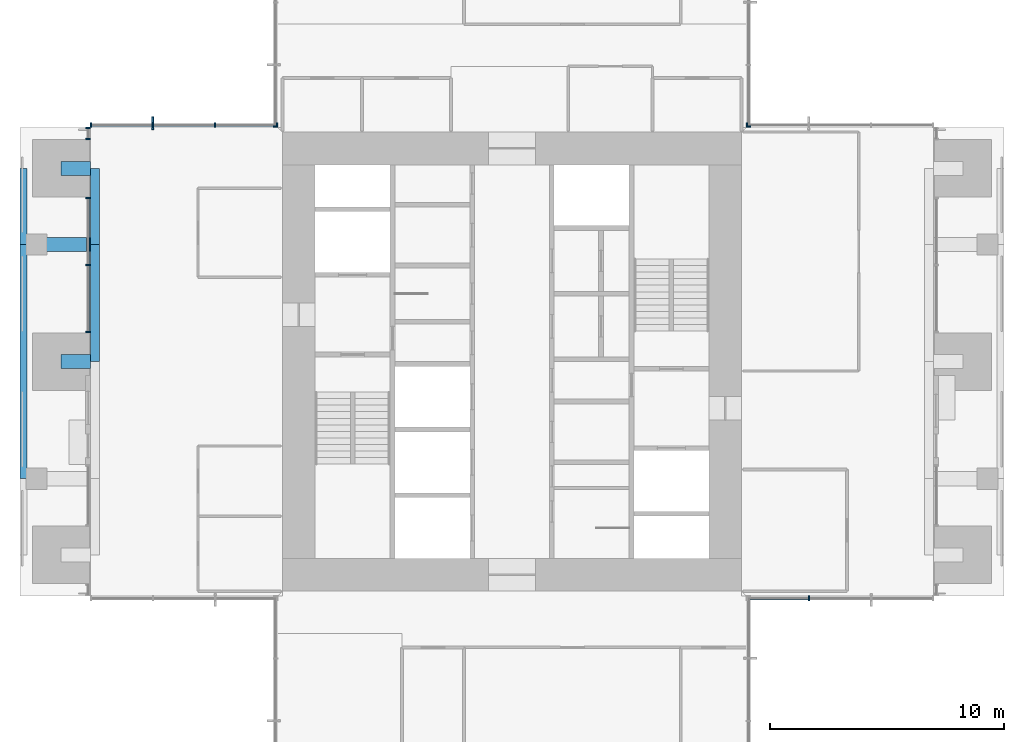
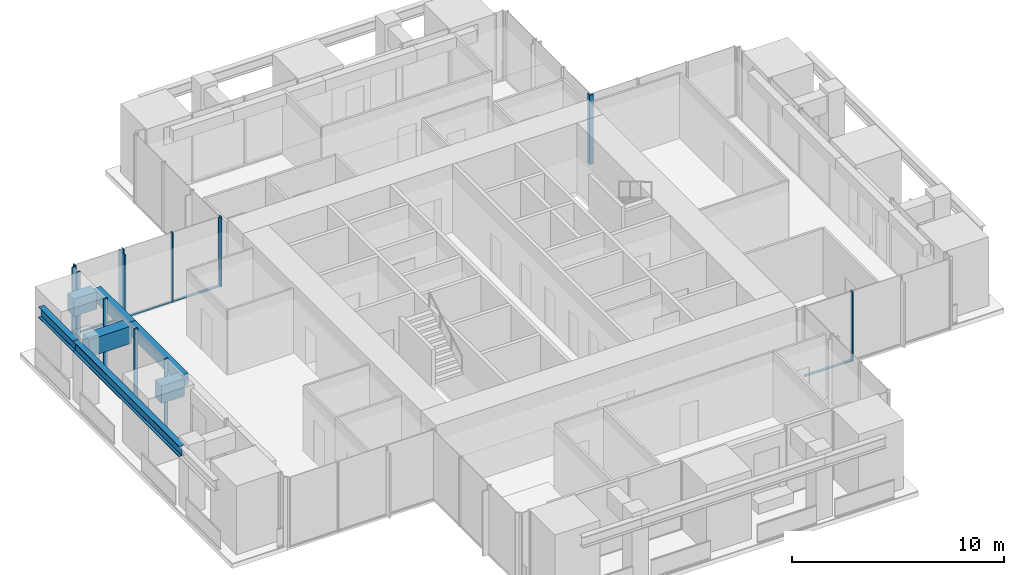
# One storey, part 3 of 17: 20 members, 7 beams, 7 elements without a shape of their own.
"""IFC4 building model written with IfcOpenShell, lengths in metres."""

from ifc_helpers import new_model, si_unit, direction, frame, origin, origin_2d, place, context, subcontext, project, spatial, rectangle, i_section, extrude, material, material_profile, profile_set, type_object, element, aggregate, save


model = new_model("IFC4")

# Units and contexts
model_context = context("Model", 3, precision=1e-05, world=origin(), true_north=direction((0.0, 1.0)))
body_context = subcontext(model_context, "Body", "Model", "MODEL_VIEW")
ifc_project = project(units=[si_unit("LENGTHUNIT", "METRE"), si_unit("AREAUNIT", "SQUARE_METRE"), si_unit("VOLUMEUNIT", "CUBIC_METRE"), si_unit("PLANEANGLEUNIT", "RADIAN"), si_unit("MASSUNIT", "GRAM", prefix="KILO")], contexts=[model_context])

# Site, building, storey
site_placement = place(None, origin())
site = spatial("IfcSite", under=ifc_project, at=site_placement, CompositionType="ELEMENT")
building_placement = place(site_placement, origin())
building = spatial("IfcBuilding", under=site, at=building_placement, Name="Svetlomir Tower", CompositionType="ELEMENT")
storey_placement = place(building_placement, frame((0.0, 0.0, 218.5)))
storey = spatial("IfcBuildingStorey", under=building, at=storey_placement, Name="L52", CompositionType="ELEMENT", Elevation=218.5)

# Curtain wall, member
ifc_material_1 = material(Name="Bronze anodised aluminium curtain wall", Category="aluminium")
curtain_wall_type = type_object("IfcCurtainWallType", Name="CURTAIN WALL CW1 TOWER OFFICE", PredefinedType="NOTDEFINED", material=ifc_material_1)
curtain_wall_1_placement = place(storey_placement, origin())
curtain_wall_1 = element("IfcCurtainWall", 1, at=curtain_wall_1_placement, inside=storey, type_object=curtain_wall_type, Name="Curtain wall CW1 L52", PredefinedType="NOTDEFINED")
ifc_material_2 = material(Name="Bronze anodised aluminium", Category="aluminium")
ifc_material_profile_1 = material_profile(ifc_material_2, rectangle(XDim=0.080078125, YDim=0.550048828125, at=origin_2d()), Name="FIN 80x550")
ifc_profile_set_1 = profile_set([ifc_material_profile_1], Name="Bronze anodised aluminium 6063-T6")
member_type_1 = type_object("IfcMemberType", Name="BRONZE FIN 80x550", PredefinedType="USERDEFINED", material=ifc_profile_set_1)
member_1_placement = place(storey_placement, frame((5.666748046875, 31.175048828125, 0.0), z_axis=(0.0, 0.0, 1.0), x_axis=(1.0, 0.0, 0.0)))
member_1 = element("IfcMember", 2, at=member_1_placement, type_object=member_type_1, Name="Bronze fin L52", ObjectType="FIN", PredefinedType="USERDEFINED", context=body_context, shape_type="SweptSolid", body=[
    extrude(rectangle(XDim=0.080078125, YDim=0.550048828125, at=origin_2d()), origin(), (0.0, 0.0, 1.0), 3.75),
])

curtain_wall_2_placement = place(storey_placement, origin())
curtain_wall_2 = element("IfcCurtainWall", 3, at=curtain_wall_2_placement, inside=storey, type_object=curtain_wall_type, Name="Curtain wall CW1 L52", PredefinedType="NOTDEFINED")
ifc_material_3 = material(Name="Bronze anodised aluminium", Category="aluminium")
ifc_material_profile_2 = material_profile(ifc_material_3, rectangle(XDim=0.06494140625, YDim=0.199951171875, at=origin_2d()), Name="AL 65x200")
ifc_profile_set_2 = profile_set([ifc_material_profile_2], Name="Bronze anodised aluminium 6063-T6")
member_type_2 = type_object("IfcMemberType", Name="CW1 MULLION 65x200", PredefinedType="MULLION", material=ifc_profile_set_2)
member_2_placement = place(storey_placement, frame((33.666748046875, 10.89990234375, 0.0), z_axis=(0.0, 0.0, 1.0), x_axis=(1.0, 0.0, 0.0)))
member_2 = element("IfcMember", 4, at=member_2_placement, type_object=member_type_2, Name="CW1 mullion 2", PredefinedType="MULLION", context=body_context, shape_type="SweptSolid", body=[
    extrude(rectangle(XDim=0.06494140625, YDim=0.199951171875, at=origin_2d()), origin(), (0.0, 0.0, 1.0), 4.0),
])

curtain_wall_3_placement = place(storey_placement, origin())
curtain_wall_3 = element("IfcCurtainWall", 5, at=curtain_wall_3_placement, inside=storey, type_object=curtain_wall_type, Name="Curtain wall CW1 L52", PredefinedType="NOTDEFINED")
member_3_placement = place(storey_placement, frame((31.032470703125, 31.10009765625, 0.0), z_axis=(0.0, 0.0, 1.0), x_axis=(-1.0, 0.0, 0.0)))
member_3 = element("IfcMember", 6, at=member_3_placement, type_object=member_type_2, Name="CW1 mullion 4", PredefinedType="MULLION", context=body_context, shape_type="SweptSolid", body=[
    extrude(rectangle(XDim=0.06494140625, YDim=0.199951171875, at=origin_2d()), origin(), (0.0, 0.0, 1.0), 4.0),
])
aggregate(curtain_wall_3, [member_3])

curtain_wall_4_placement = place(storey_placement, origin())
curtain_wall_4 = element("IfcCurtainWall", 7, at=curtain_wall_4_placement, inside=storey, type_object=curtain_wall_type, Name="Curtain wall CW1 L52", PredefinedType="NOTDEFINED")
member_4_placement = place(storey_placement, frame((31.10009765625, 31.032470703125, 0.0), z_axis=(0.0, 0.0, 1.0), x_axis=(0.0, 1.0, 0.0)))
member_4 = element("IfcMember", 8, at=member_4_placement, type_object=member_type_2, Name="CW1 mullion 1", PredefinedType="MULLION", context=body_context, shape_type="SweptSolid", body=[
    extrude(rectangle(XDim=0.06494140625, YDim=0.199951171875, at=origin_2d()), origin(), (0.0, 0.0, 1.0), 4.0),
])
aggregate(curtain_wall_4, [member_4])

curtain_wall_5_placement = place(storey_placement, origin())
curtain_wall_5 = element("IfcCurtainWall", 9, at=curtain_wall_5_placement, inside=storey, type_object=curtain_wall_type, Name="Curtain wall CW1 L52", PredefinedType="NOTDEFINED")
member_5_placement = place(storey_placement, frame((10.89990234375, 31.032470703125, 0.0), z_axis=(0.0, 0.0, 1.0), x_axis=(0.0, -1.0, 0.0)))
member_5 = element("IfcMember", 10, at=member_5_placement, type_object=member_type_2, Name="CW1 mullion 4", PredefinedType="MULLION", context=body_context, shape_type="SweptSolid", body=[
    extrude(rectangle(XDim=0.06494140625, YDim=0.199951171875, at=origin_2d()), origin(), (0.0, 0.0, 1.0), 4.0),
])
aggregate(curtain_wall_5, [member_5])

# Member
member_6_placement = place(storey_placement, frame((10.967529296875, 31.10009765625, 0.0), z_axis=(0.0, 0.0, 1.0), x_axis=(-1.0, 0.0, 0.0)))
member_6 = element("IfcMember", 11, at=member_6_placement, type_object=member_type_2, Name="CW1 mullion 1", PredefinedType="MULLION", context=body_context, shape_type="SweptSolid", body=[
    extrude(rectangle(XDim=0.06494140625, YDim=0.199951171875, at=origin_2d()), origin(), (0.0, 0.0, 1.0), 4.0),
])

member_7_placement = place(storey_placement, frame((8.333251953125, 31.10009765625, 0.0), z_axis=(0.0, 0.0, 1.0), x_axis=(-1.0, 0.0, 0.0)))
member_7 = element("IfcMember", 12, at=member_7_placement, type_object=member_type_2, Name="CW1 mullion 2", PredefinedType="MULLION", context=body_context, shape_type="SweptSolid", body=[
    extrude(rectangle(XDim=0.06494140625, YDim=0.199951171875, at=origin_2d()), origin(), (0.0, 0.0, 1.0), 4.0),
])

member_8_placement = place(storey_placement, frame((5.666748046875, 31.10009765625, 0.0), z_axis=(0.0, 0.0, 1.0), x_axis=(-1.0, 0.0, 0.0)))
member_8 = element("IfcMember", 13, at=member_8_placement, type_object=member_type_2, Name="CW1 mullion 3", PredefinedType="MULLION", context=body_context, shape_type="SweptSolid", body=[
    extrude(rectangle(XDim=0.06494140625, YDim=0.199951171875, at=origin_2d()), origin(), (0.0, 0.0, 1.0), 4.0),
])

member_9_placement = place(storey_placement, frame((3.032470703125, 31.10009765625, 0.0), z_axis=(0.0, 0.0, 1.0), x_axis=(-1.0, 0.0, 0.0)))
member_9 = element("IfcMember", 14, at=member_9_placement, type_object=member_type_2, Name="CW1 mullion 4", PredefinedType="MULLION", context=body_context, shape_type="SweptSolid", body=[
    extrude(rectangle(XDim=0.06494140625, YDim=0.199951171875, at=origin_2d()), origin(), (0.0, 0.0, 1.0), 4.0),
])

# Curtain wall, members
curtain_wall_6_placement = place(storey_placement, origin())
curtain_wall_6 = element("IfcCurtainWall", 15, at=curtain_wall_6_placement, inside=storey, type_object=curtain_wall_type, Name="Curtain wall CW1 L52", PredefinedType="NOTDEFINED")
member_10_placement = place(storey_placement, frame((2.89990234375, 30.967529296875, 0.0), z_axis=(0.0, 0.0, 1.0), x_axis=(0.0, -1.0, 0.0)))
member_10 = element("IfcMember", 16, at=member_10_placement, type_object=member_type_2, Name="CW1 mullion 1", PredefinedType="MULLION", context=body_context, shape_type="SweptSolid", body=[
    extrude(rectangle(XDim=0.06494140625, YDim=0.199951171875, at=origin_2d()), origin(), (0.0, 0.0, 1.0), 4.0),
])
member_11_placement = place(storey_placement, frame((2.89990234375, 30.507568359375, 0.0), z_axis=(0.0, 0.0, 1.0), x_axis=(0.0, -1.0, 0.0)))
member_11 = element("IfcMember", 17, at=member_11_placement, type_object=member_type_2, Name="CW1 mullion 2", PredefinedType="MULLION", context=body_context, shape_type="SweptSolid", body=[
    extrude(rectangle(XDim=0.06494140625, YDim=0.199951171875, at=origin_2d()), origin(), (0.0, 0.0, 1.0), 4.0),
])
aggregate(curtain_wall_6, [member_10, member_11])

curtain_wall_7_placement = place(storey_placement, origin())
curtain_wall_7 = element("IfcCurtainWall", 18, at=curtain_wall_7_placement, inside=storey, type_object=curtain_wall_type, Name="Curtain wall CW1 L52", PredefinedType="NOTDEFINED")
member_12_placement = place(storey_placement, frame((2.89990234375, 27.992431640625, 0.0), z_axis=(0.0, 0.0, 1.0), x_axis=(0.0, -1.0, 0.0)))
member_12 = element("IfcMember", 19, at=member_12_placement, type_object=member_type_2, Name="CW1 mullion 1", PredefinedType="MULLION", context=body_context, shape_type="SweptSolid", body=[
    extrude(rectangle(XDim=0.06494140625, YDim=0.199951171875, at=origin_2d()), origin(), (0.0, 0.0, 1.0), 4.0),
])
member_13_placement = place(storey_placement, frame((2.89990234375, 25.125, 0.0), z_axis=(0.0, 0.0, 1.0), x_axis=(0.0, -1.0, 0.0)))
member_13 = element("IfcMember", 20, at=member_13_placement, type_object=member_type_2, Name="CW1 mullion 2", PredefinedType="MULLION", context=body_context, shape_type="SweptSolid", body=[
    extrude(rectangle(XDim=0.06494140625, YDim=0.199951171875, at=origin_2d()), origin(), (0.0, 0.0, 1.0), 4.0),
])
member_14_placement = place(storey_placement, frame((2.89990234375, 22.257568359375, 0.0), z_axis=(0.0, 0.0, 1.0), x_axis=(0.0, -1.0, 0.0)))
member_14 = element("IfcMember", 21, at=member_14_placement, type_object=member_type_2, Name="CW1 mullion 3", PredefinedType="MULLION", context=body_context, shape_type="SweptSolid", body=[
    extrude(rectangle(XDim=0.06494140625, YDim=0.199951171875, at=origin_2d()), origin(), (0.0, 0.0, 1.0), 4.0),
])

# Member
ifc_material_4 = material(Name="Bronze anodised aluminium", Category="aluminium")
ifc_material_profile_3 = material_profile(ifc_material_4, rectangle(XDim=0.139892578125, YDim=0.06494140625, at=origin_2d()), Name="AL 140x65")
ifc_profile_set_3 = profile_set([ifc_material_profile_3], Name="Bronze anodised aluminium 6063-T6")
member_type_3 = type_object("IfcMemberType", Name="CW1 TRANSOM 65x140", PredefinedType="USERDEFINED", material=ifc_profile_set_3)
member_15_placement = place(storey_placement, frame((31.06494140625, 10.89990234375, 0.032470703125), z_axis=(1.0, 0.0, 0.0), x_axis=(0.0, 1.0, 0.0)))
member_15 = element("IfcMember", 22, at=member_15_placement, type_object=member_type_3, Name="CW1 transom 1.1", ObjectType="TRANSOM", PredefinedType="USERDEFINED", context=body_context, shape_type="SweptSolid", body=[
    extrude(rectangle(XDim=0.139892578125, YDim=0.06494140625, at=origin_2d()), origin(), (0.0, 0.0, 1.0), 2.5693359375),
])

aggregate(curtain_wall_2, [member_2, member_15])

member_16_placement = place(storey_placement, frame((10.93505859375, 31.10009765625, 0.032470703125), z_axis=(-1.0, 0.0, 0.0), x_axis=(0.0, -1.0, 0.0)))
member_16 = element("IfcMember", 23, at=member_16_placement, type_object=member_type_3, Name="CW1 transom 1.1", ObjectType="TRANSOM", PredefinedType="USERDEFINED", context=body_context, shape_type="SweptSolid", body=[
    extrude(rectangle(XDim=0.139892578125, YDim=0.06494140625, at=origin_2d()), origin(), (0.0, 0.0, 1.0), 2.5693359375),
])

member_17_placement = place(storey_placement, frame((8.30078125, 31.10009765625, 0.032470703125), z_axis=(-1.0, 0.0, 0.0), x_axis=(0.0, -1.0, 0.0)))
member_17 = element("IfcMember", 24, at=member_17_placement, type_object=member_type_3, Name="CW1 transom 2.1", ObjectType="TRANSOM", PredefinedType="USERDEFINED", context=body_context, shape_type="SweptSolid", body=[
    extrude(rectangle(XDim=0.139892578125, YDim=0.06494140625, at=origin_2d()), origin(), (0.0, 0.0, 1.0), 2.6015625),
])

member_18_placement = place(storey_placement, frame((5.63427734375, 31.10009765625, 0.032470703125), z_axis=(-1.0, 0.0, 0.0), x_axis=(0.0, -1.0, 0.0)))
member_18 = element("IfcMember", 25, at=member_18_placement, type_object=member_type_3, Name="CW1 transom 3.1", ObjectType="TRANSOM", PredefinedType="USERDEFINED", context=body_context, shape_type="SweptSolid", body=[
    extrude(rectangle(XDim=0.139892578125, YDim=0.06494140625, at=origin_2d()), origin(), (0.0, 0.0, 1.0), 2.5693359375),
])

aggregate(curtain_wall_1, [member_6, member_7, member_8, member_9, member_16, member_17, member_18, member_1])

member_19_placement = place(storey_placement, frame((2.89990234375, 27.9599609375, 0.032470703125), z_axis=(0.0, -1.0, 0.0), x_axis=(1.0, 0.0, 0.0)))
member_19 = element("IfcMember", 26, at=member_19_placement, type_object=member_type_3, Name="CW1 transom 1.1", ObjectType="TRANSOM", PredefinedType="USERDEFINED", context=body_context, shape_type="SweptSolid", body=[
    extrude(rectangle(XDim=0.139892578125, YDim=0.06494140625, at=origin_2d()), origin(), (0.0, 0.0, 1.0), 2.802490234375),
])

member_20_placement = place(storey_placement, frame((2.89990234375, 25.092529296875, 0.032470703125), z_axis=(0.0, -1.0, 0.0), x_axis=(1.0, 0.0, 0.0)))
member_20 = element("IfcMember", 27, at=member_20_placement, type_object=member_type_3, Name="CW1 transom 2.1", ObjectType="TRANSOM", PredefinedType="USERDEFINED", context=body_context, shape_type="SweptSolid", body=[
    extrude(rectangle(XDim=0.139892578125, YDim=0.06494140625, at=origin_2d()), origin(), (0.0, 0.0, 1.0), 2.802490234375),
])

aggregate(curtain_wall_7, [member_12, member_13, member_14, member_19, member_20])

# Beams
ifc_material_5 = material(Name="Steel S355", Category="steel")
ifc_material_profile_4 = material_profile(ifc_material_5, i_section(OverallWidth=0.304931640625, OverallDepth=0.6201171875, WebThickness=0.02099609375, FlangeThickness=0.0400390625, FilletRadius=0.027099609375, at=origin_2d()), Name="HEM 600")
ifc_profile_set_4 = profile_set([ifc_material_profile_4], Name="Steel S355")
beam_type_1 = type_object("IfcBeamType", Name="EDGE BEAM HEM 600", PredefinedType="SPANDREL", material=ifc_profile_set_4)
beam_1_placement = place(storey_placement, frame((0.152587890625, 16.0, 3.43994140625), z_axis=(0.0, 1.0, 0.0), x_axis=(-1.0, 0.0, 0.0)))
element("IfcBeam", 28, at=beam_1_placement, inside=storey, type_object=beam_type_1, Name="Edge beam 0/16 to 0/26 under L53", PredefinedType="SPANDREL", context=body_context, shape_type="SweptSolid", body=[
    extrude(i_section(OverallWidth=0.304931640625, OverallDepth=0.6201171875, WebThickness=0.02099609375, FlangeThickness=0.0400390625, FilletRadius=0.027099609375, at=origin_2d()), origin(), (0.0, 0.0, 1.0), 10.0),
])
beam_2_placement = place(storey_placement, frame((0.152587890625, 26.0, 3.43994140625), z_axis=(0.0, 1.0, 0.0), x_axis=(-1.0, 0.0, 0.0)))
element("IfcBeam", 29, at=beam_2_placement, inside=storey, type_object=beam_type_1, Name="Edge beam 0/26 to 0/31 under L53", PredefinedType="SPANDREL", context=body_context, shape_type="SweptSolid", body=[
    extrude(i_section(OverallWidth=0.304931640625, OverallDepth=0.6201171875, WebThickness=0.02099609375, FlangeThickness=0.0400390625, FilletRadius=0.027099609375, at=origin_2d()), origin(), (0.0, 0.0, 1.0), 3.25),
])
ifc_material_6 = material(Name="Concrete C60/75", Category="concrete")
ifc_material_profile_5 = material_profile(ifc_material_6, rectangle(XDim=0.39990234375, YDim=0.64990234375, at=origin_2d()), Name="RC 400x650")
ifc_profile_set_5 = profile_set([ifc_material_profile_5], Name="Concrete C60/75")
beam_type_2 = type_object("IfcBeamType", Name="FACADE EDGE BEAM RC 400x650", PredefinedType="BEAM", material=ifc_profile_set_5)
beam_3_placement = place(storey_placement, frame((3.199951171875, 21.0, 3.425048828125), z_axis=(0.0, 1.0, 0.0), x_axis=(-1.0, 0.0, 0.0)))
element("IfcBeam", 30, at=beam_3_placement, inside=storey, type_object=beam_type_2, Name="Facade edge beam W 21 to 26 under L53", PredefinedType="BEAM", context=body_context, shape_type="SweptSolid", body=[
    extrude(rectangle(XDim=0.39990234375, YDim=0.64990234375, at=origin_2d()), origin(), (0.0, 0.0, 1.0), 5.0),
])
beam_4_placement = place(storey_placement, frame((3.199951171875, 26.0, 3.425048828125), z_axis=(0.0, 1.0, 0.0), x_axis=(-1.0, 0.0, 0.0)))
element("IfcBeam", 31, at=beam_4_placement, inside=storey, type_object=beam_type_2, Name="Facade edge beam W 26 to 31 under L53", PredefinedType="BEAM", context=body_context, shape_type="SweptSolid", body=[
    extrude(rectangle(XDim=0.39990234375, YDim=0.64990234375, at=origin_2d()), origin(), (0.0, 0.0, 1.0), 3.25),
])
ifc_material_7 = material(Name="Concrete C60/75", Category="concrete")
ifc_material_profile_6 = material_profile(ifc_material_7, rectangle(XDim=0.60009765625, YDim=1.0, at=origin_2d()), Name="RC 600x1000")
ifc_profile_set_6 = profile_set([ifc_material_profile_6], Name="Concrete C60/75")
beam_type_3 = type_object("IfcBeamType", Name="LOGGIA LINK BEAM RC 600x1000", PredefinedType="BEAM", material=ifc_profile_set_6)
beam_5_placement = place(storey_placement, frame((1.75, 21.0, 3.25), z_axis=(1.0, 0.0, 0.0), x_axis=(0.0, 1.0, 0.0)))
element("IfcBeam", 32, at=beam_5_placement, inside=storey, type_object=beam_type_3, Name="Loggia link beam W 21 under L53", PredefinedType="BEAM", context=body_context, shape_type="SweptSolid", body=[
    extrude(rectangle(XDim=0.60009765625, YDim=1.0, at=origin_2d()), origin(), (0.0, 0.0, 1.0), 1.25),
])
beam_6_placement = place(storey_placement, frame((0.699951171875, 26.0, 3.25), z_axis=(1.0, 0.0, 0.0), x_axis=(0.0, 1.0, 0.0)))
element("IfcBeam", 33, at=beam_6_placement, inside=storey, type_object=beam_type_3, Name="Loggia link beam W 26 under L53", PredefinedType="BEAM", context=body_context, shape_type="SweptSolid", body=[
    extrude(rectangle(XDim=0.60009765625, YDim=1.0, at=origin_2d()), origin(), (0.0, 0.0, 1.0), 2.300048828125),
])
beam_7_placement = place(storey_placement, frame((1.75, 29.25, 3.25), z_axis=(1.0, 0.0, 0.0), x_axis=(0.0, 1.0, 0.0)))
element("IfcBeam", 34, at=beam_7_placement, inside=storey, type_object=beam_type_3, Name="Loggia link beam W 31 under L53", PredefinedType="BEAM", context=body_context, shape_type="SweptSolid", body=[
    extrude(rectangle(XDim=0.60009765625, YDim=1.0, at=origin_2d()), origin(), (0.0, 0.0, 1.0), 1.25),
])

save(model, "model.ifc")
